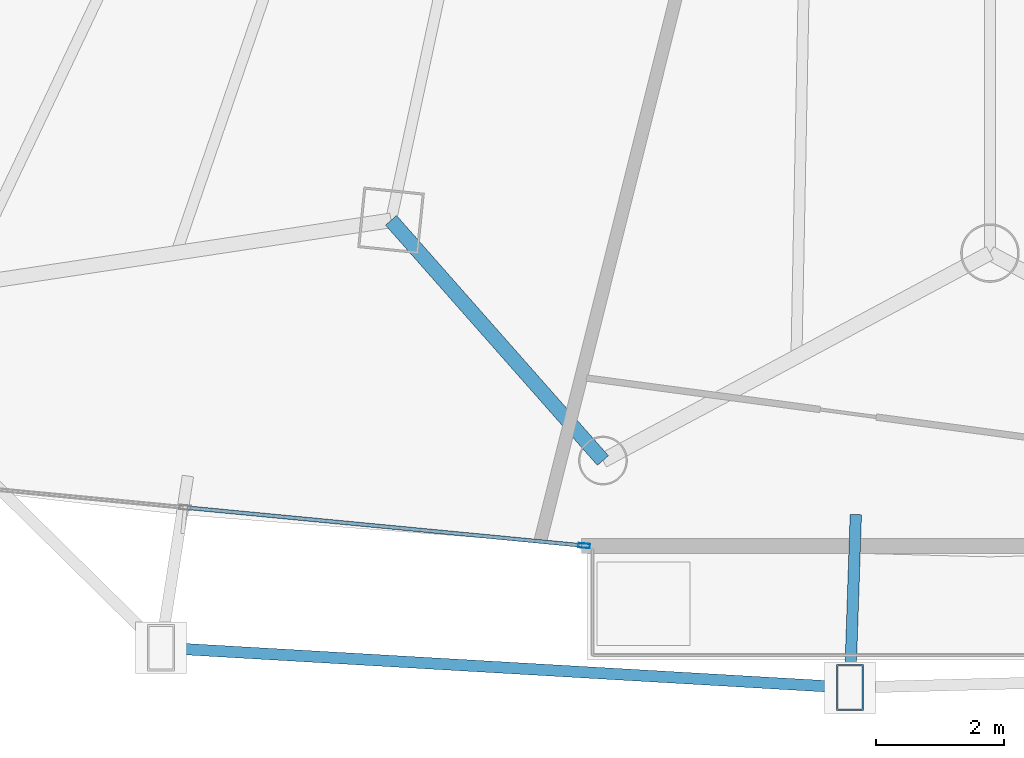
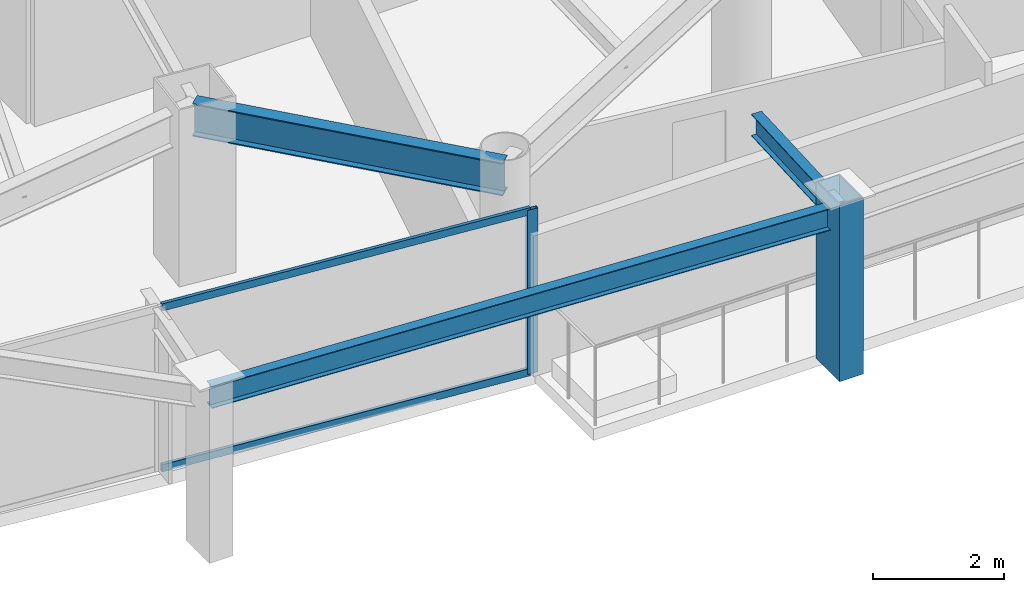
# One storey, part 6 of 33: 4 members, 3 beams, 1 element without a shape of its own.
"""IFC4 building model written with IfcOpenShell, lengths in metres."""

import ifcopenshell
import ifcopenshell.guid

model = None  # the IFC model being written
_history = None  # IfcOwnerHistory: only IFC2X3 demands one
_inside = {}  # id of a spatial element -> (the spatial element, [elements in it])
_under = {}  # id of a project, library or spatial element -> (it, [spatial elements below it])
_declared = {}  # id of a project -> (the project, [libraries it declares])
_typed = {}  # id of a type object -> (the type object, [elements of that type])
_made_of = {}  # id of a material, layer set ... -> (it, [elements and type objects made of it])


def new_model(schema):
    """Start an empty IFC model of exactly this schema.

    Asked for "IFC4X3", IfcOpenShell would pick the latest addendum, in which some entities
    have other attributes; the version numbers below select the first issue.
    IFC2X3 requires an IfcOwnerHistory on every rooted entity: one is made here for all.
    """
    global model, _history
    if schema == "IFC4X3":
        model = ifcopenshell.file(schema_version=(4, 3, 0, 0))
    else:
        model = ifcopenshell.file(schema=schema)
    _inside.clear()
    _under.clear()
    _declared.clear()
    _typed.clear()
    _made_of.clear()
    _history = None
    if model.schema == "IFC2X3":
        org = make("IfcOrganization", Name="unknown")
        user = make(
            "IfcPersonAndOrganization",
            ThePerson=make("IfcPerson", FamilyName="unknown"),
            TheOrganization=org,
        )
        app = make(
            "IfcApplication",
            ApplicationDeveloper=org,
            Version="unknown",
            ApplicationFullName="unknown",
            ApplicationIdentifier="unknown",
        )
        _history = make(
            "IfcOwnerHistory",
            OwningUser=user,
            OwningApplication=app,
            ChangeAction="ADDED",
            CreationDate=0,
        )
    return model


def make(cls, **values):
    """One entity of the class cls with the attributes given. An attribute that is None is left unset."""
    return model.create_entity(
        cls, **{name: value for name, value in values.items() if value is not None}
    )


def rooted(cls, **values):
    """An entity with a GlobalId (a new one), such as an element, a storey or a relation."""
    return make(cls, GlobalId=ifcopenshell.guid.new(), OwnerHistory=_history, **values)


def si_unit(unit_type, name, prefix=None):
    """IfcSIUnit, for example si_unit("LENGTHUNIT", "METRE", prefix="MILLI")."""
    return make("IfcSIUnit", UnitType=unit_type, Prefix=prefix, Name=name)


def assignment(units):
    """IfcUnitAssignment: the units of a project."""
    return None if units is None else make("IfcUnitAssignment", Units=units)


def point(xyz):
    """IfcCartesianPoint."""
    return None if xyz is None else make("IfcCartesianPoint", Coordinates=xyz)


def direction(xyz):
    """IfcDirection."""
    return None if xyz is None else make("IfcDirection", DirectionRatios=xyz)


def frame(location, z_axis=None, x_axis=None):
    """IfcAxis2Placement3D, a coordinate frame: its origin and axes. An axis left out is left unset."""
    return make(
        "IfcAxis2Placement3D",
        Location=point(location),
        Axis=direction(z_axis),
        RefDirection=direction(x_axis),
    )


def frame_2d(location, x_axis=None):
    """IfcAxis2Placement2D, a coordinate frame in the plane: its origin and x axis."""
    return make(
        "IfcAxis2Placement2D", Location=point(location), RefDirection=direction(x_axis)
    )


def origin():
    """The frame at (0, 0, 0) with its axes left unset."""
    return frame((0.0, 0.0, 0.0))


def origin_2d():
    """The frame at (0, 0) in the plane with its x axis left unset."""
    return frame_2d((0.0, 0.0))


def place(relative_to, where):
    """IfcLocalPlacement: puts the frame where relative to a parent placement (None: the world)."""
    return make(
        "IfcLocalPlacement", PlacementRelTo=relative_to, RelativePlacement=where
    )


def context(
    kind, dimensions, precision=None, world=None, true_north=None, identifier=None
):
    """IfcGeometricRepresentationContext, for example the 3D "Model" context."""
    return make(
        "IfcGeometricRepresentationContext",
        ContextIdentifier=identifier,
        ContextType=kind,
        CoordinateSpaceDimension=dimensions,
        Precision=precision,
        WorldCoordinateSystem=world,
        TrueNorth=true_north,
    )


def subcontext(parent, identifier, kind, view, scale=None):
    """IfcGeometricRepresentationSubContext, for example "Body" below "Model"."""
    return make(
        "IfcGeometricRepresentationSubContext",
        ContextIdentifier=identifier,
        ContextType=kind,
        ParentContext=parent,
        TargetScale=scale,
        TargetView=view,
    )


def project(units=None, contexts=None):
    """IfcProject with its units and contexts."""
    return rooted(
        "IfcProject",
        Name="project",
        RepresentationContexts=contexts,
        UnitsInContext=assignment(units),
    )


def spatial(cls, under=None, at=None, **own):
    """A site, building, storey or space (cls), placed at a placement, below another one or the project."""
    s = rooted(cls, ObjectPlacement=at, **own)
    if under is not None:
        _under.setdefault(under.id(), (under, []))[1].append(s)
    return s


def profile(cls, at=None, kind="AREA", **sizes):
    """A parametric profile (cls). Its sizes go by their IFC names, for example OverallWidth=200.0."""
    return make(cls, ProfileType=kind, Position=at, **sizes)


def hollow_rectangle(**sizes):
    """IfcRectangleHollowProfileDef."""
    return profile("IfcRectangleHollowProfileDef", **sizes)


def i_section(**sizes):
    """IfcIShapeProfileDef."""
    return profile("IfcIShapeProfileDef", **sizes)


def extrude(swept, where, along, depth):
    """IfcExtrudedAreaSolid: the profile swept, set in the frame where, extruded along a direction by depth."""
    return make(
        "IfcExtrudedAreaSolid",
        SweptArea=swept,
        Position=where,
        ExtrudedDirection=direction(along),
        Depth=depth,
    )


def shape(context_of_items, identifier, shape_type, items):
    """IfcShapeRepresentation: the items that make up one representation, for example the "Body"."""
    return make(
        "IfcShapeRepresentation",
        ContextOfItems=context_of_items,
        RepresentationIdentifier=identifier,
        RepresentationType=shape_type,
        Items=items,
    )


def material(Name=None, Category=None):
    """IfcMaterial."""
    return make("IfcMaterial", Name=Name, Category=Category)


def layer(
    of_material, thickness, ventilated=None, Name=None, Category=None, Priority=None
):
    """IfcMaterialLayer: one layer of a wall or slab, of a material (None: an air gap)."""
    return make(
        "IfcMaterialLayer",
        Material=of_material,
        LayerThickness=thickness,
        IsVentilated=ventilated,
        Name=Name,
        Category=Category,
        Priority=Priority,
    )


def layer_set(layers, Name=None):
    """IfcMaterialLayerSet."""
    return make("IfcMaterialLayerSet", MaterialLayers=layers, LayerSetName=Name)


def material_profile(
    of_material, cross_section, Name=None, Category=None, Priority=None
):
    """IfcMaterialProfile: a cross section and its material."""
    return make(
        "IfcMaterialProfile",
        Name=Name,
        Material=of_material,
        Profile=cross_section,
        Priority=Priority,
        Category=Category,
    )


def profile_set(profiles, Name=None, composite=None):
    """IfcMaterialProfileSet."""
    return make(
        "IfcMaterialProfileSet",
        Name=Name,
        MaterialProfiles=profiles,
        CompositeProfile=composite,
    )


def made_of(thing, what):
    """Note that an element or type object is made of a material, layer set ...; save() writes the relation."""
    if what is not None:
        _made_of.setdefault(what.id(), (what, []))[1].append(thing)
    return thing


def type_object(cls, material=None, **own):
    """A type object (cls), such as IfcWallType, which elements share."""
    return made_of(rooted(cls, **own), material)


def element(
    cls,
    number,
    at=None,
    inside=None,
    cuts=None,
    type_object=None,
    material=None,
    context=None,
    identifier="Body",
    shape_type=None,
    held_by="IfcProductDefinitionShape",
    body=None,
    shapes=None,
    **own,
):
    """One element of the class cls, such as IfcWall. Its Tag is "e" and its number.

    at: its placement. inside: the storey or other place that contains it. cuts: it is an
    opening in that element (IfcRelVoidsElement). A single representation is given by context,
    identifier, shape_type and body (its items); several are given by shapes. held_by: the class
    of the entity that holds the representations. save() writes the other relations.
    """
    e = rooted(cls, Tag="e%d" % number, ObjectPlacement=at, **own)
    if body is not None:
        shapes = [shape(context, identifier, shape_type, body)]
    if shapes is not None:
        e.Representation = make(held_by, Representations=shapes)
    if inside is not None:
        _inside.setdefault(inside.id(), (inside, []))[1].append(e)
    if cuts is not None:
        rooted(
            "IfcRelVoidsElement", RelatingBuildingElement=cuts, RelatedOpeningElement=e
        )
    if type_object is not None:
        _typed.setdefault(type_object.id(), (type_object, []))[1].append(e)
    return made_of(e, material)


def aggregate(whole, parts):
    """IfcRelAggregates: a whole, such as a stair, and the parts it consists of."""
    return rooted("IfcRelAggregates", RelatingObject=whole, RelatedObjects=parts)


def save(model, path):
    """Write the relations noted so far, then the file.

    IfcRelAggregates (storeys below a building ...), IfcRelContainedInSpatialStructure (elements
    in a storey), IfcRelDefinesByType, IfcRelAssociatesMaterial and IfcRelDeclares: one each for
    every whole, place, type object, material and project.
    """
    for whole, parts in _under.values():
        aggregate(whole, parts)
    for where, things in _inside.values():
        rooted(
            "IfcRelContainedInSpatialStructure",
            RelatedElements=things,
            RelatingStructure=where,
        )
    for kind, things in _typed.values():
        rooted("IfcRelDefinesByType", RelatedObjects=things, RelatingType=kind)
    for what, things in _made_of.values():
        rooted("IfcRelAssociatesMaterial", RelatedObjects=things, RelatingMaterial=what)
    for by, libraries in _declared.values():
        rooted("IfcRelDeclares", RelatingContext=by, RelatedDefinitions=libraries)
    model.write(path)


model = new_model("IFC4")

# Units and contexts
model_context = context("Model", 3, precision=1e-05, world=origin(), true_north=direction((0.0, 1.0)))
body_context = subcontext(model_context, "Body", "Model", "MODEL_VIEW")
ifc_project = project(units=[si_unit("LENGTHUNIT", "METRE"), si_unit("AREAUNIT", "SQUARE_METRE"), si_unit("VOLUMEUNIT", "CUBIC_METRE"), si_unit("PLANEANGLEUNIT", "RADIAN"), si_unit("MASSUNIT", "GRAM", prefix="KILO")], contexts=[model_context])

# Site, building, storey
site_placement = place(None, origin())
site = spatial("IfcSite", under=ifc_project, at=site_placement, CompositionType="ELEMENT")
building_placement = place(site_placement, origin())
building = spatial("IfcBuilding", under=site, at=building_placement, Name="Orvanel Arch Residences", CompositionType="ELEMENT")
storey_placement = place(building_placement, frame((0.0, 0.0, 87.35009765625)))
storey = spatial("IfcBuildingStorey", under=building, at=storey_placement, Name="L24", CompositionType="ELEMENT", Elevation=87.35009765625)

# Member
ifc_material_1 = material(Name="Structural steel AS/NZS 3678 Grade 350", Category="steel")
ifc_material_profile_1 = material_profile(ifc_material_1, hollow_rectangle(XDim=0.419921875, YDim=0.719970703125, WallThickness=0.02490234375, at=origin_2d()), Name="RHS720x420x25")
ifc_profile_set_1 = profile_set([ifc_material_profile_1], Name="Structural steel AS/NZS 3678 Grade 350")
member_type_1 = type_object("IfcMemberType", Name="CH-720RHS-EXT", PredefinedType="CHORD", material=ifc_profile_set_1)
member_1_placement = place(storey_placement, frame((30.81494140625, 0.05908203125, 0.0), z_axis=(0.0, 0.0, 1.0), x_axis=(1.0, 0.0, 0.0)))
element("IfcMember", 1, at=member_1_placement, inside=storey, type_object=member_type_1, Name="L24 Outer Perimeter Frame Post 06", PredefinedType="CHORD", context=body_context, shape_type="SweptSolid", body=[
    extrude(hollow_rectangle(XDim=0.419921875, YDim=0.719970703125, WallThickness=0.02490234375, at=origin_2d()), origin(), (0.0, 0.0, 1.0), 3.2998046875),
])

# Curtain wall, member
ifc_material_2 = material(Name="Bronze-anodised aluminium AA6063-T6", Category="aluminium")
ifc_layer = layer(ifc_material_2, 0.179931640625)
ifc_layer_set = layer_set([ifc_layer], Name="Bronze-anodised aluminium AA6063-T6")
curtain_wall_type = type_object("IfcCurtainWallType", Name="CW2-LOW-SYS", PredefinedType="NOTDEFINED", material=ifc_layer_set)
curtain_wall_placement = place(storey_placement, origin())
curtain_wall = element("IfcCurtainWall", 2, at=curtain_wall_placement, inside=storey, type_object=curtain_wall_type, Name="L24 CW2-LOW-SYS Unitised Curtain Wall", PredefinedType="NOTDEFINED")
ifc_material_profile_2 = material_profile(ifc_material_2, hollow_rectangle(XDim=0.070068359375, YDim=0.179931640625, WallThickness=0.00439453125, at=origin_2d()), Name="ALU180x70x4.5")
ifc_profile_set_2 = profile_set([ifc_material_profile_2], Name="Bronze-anodised aluminium AA6063-T6")
member_type_2 = type_object("IfcMemberType", Name="MUL-180x70", PredefinedType="MULLION", material=ifc_profile_set_2)
member_2_placement = place(storey_placement, frame((26.6630859375, 2.275390625, 0.0), z_axis=(0.0, 0.0, 1.0), x_axis=(0.095292908754, 0.995449276227, 0.0)))
member_2 = element("IfcMember", 3, at=member_2_placement, type_object=member_type_2, Name="CW-S2 mullion 3", PredefinedType="MULLION", context=body_context, shape_type="SweptSolid", body=[
    extrude(hollow_rectangle(XDim=0.070068359375, YDim=0.179931640625, WallThickness=0.00439453125, at=origin_2d()), origin(), (0.0, 0.0, 1.0), 3.059814453125),
])

# Beams
ifc_material_3 = material(Name="Structural steel AS/NZS 3679.1 Grade 300 (300 MPa)", Category="steel")
ifc_material_profile_3 = material_profile(ifc_material_3, i_section(OverallWidth=0.177978515625, OverallDepth=0.406005859375, WebThickness=0.0078125, FlangeThickness=0.0126953125, at=origin_2d()), Name="410UB59.7")
ifc_profile_set_3 = profile_set([ifc_material_profile_3], Name="Structural steel AS/NZS 3679.1 Grade 300 (300 MPa)")
beam_type_1 = type_object("IfcBeamType", Name="OB-410UB-EXT", PredefinedType="SPANDREL", material=ifc_profile_set_3)
beam_1_placement = place(storey_placement, frame((20.055908203125, 0.681884765625, 2.85693359375), z_axis=(0.998328775622, -0.057789754853, 0.0), x_axis=(0.057789754853, 0.998328775622, 0.0)))
element("IfcBeam", 4, at=beam_1_placement, inside=storey, type_object=beam_type_1, Name="L24 Outer Perimeter Floor Ring Beam 05", PredefinedType="SPANDREL", context=body_context, shape_type="SweptSolid", body=[
    extrude(i_section(OverallWidth=0.177978515625, OverallDepth=0.406005859375, WebThickness=0.0078125, FlangeThickness=0.0126953125, at=origin_2d()), origin(), (0.0, 0.0, 1.0), 10.777099609375),
])
beam_2_placement = place(storey_placement, frame((30.906005859375, 2.760986328125, 2.85693359375), z_axis=(-0.033684677538, -0.999432510227, 0.0), x_axis=(0.999432510227, -0.033684677538, 0.0)))
element("IfcBeam", 5, at=beam_2_placement, inside=storey, type_object=beam_type_1, Name="L24 Outer Frame Radial Tie Beam 06", PredefinedType="SPANDREL", context=body_context, shape_type="SweptSolid", body=[
    extrude(i_section(OverallWidth=0.177978515625, OverallDepth=0.406005859375, WebThickness=0.0078125, FlangeThickness=0.0126953125, at=origin_2d()), origin(), (0.0, 0.0, 1.0), 2.703369140625),
])
ifc_material_profile_4 = material_profile(ifc_material_3, i_section(OverallWidth=0.22900390625, OverallDepth=0.612060546875, WebThickness=0.011962890625, FlangeThickness=0.01953125, at=origin_2d()), Name="610UB125")
ifc_profile_set_4 = profile_set([ifc_material_profile_4], Name="Structural steel AS/NZS 3679.1 Grade 300 (300 MPa)")
beam_type_2 = type_object("IfcBeamType", Name="SP-610UB", PredefinedType="SPANDREL", material=ifc_profile_set_4)
beam_3_placement = place(storey_placement, frame((23.64892578125, 7.35498046875, 2.75390625), z_axis=(0.661650698195, -0.749812212209, 0.0), x_axis=(0.749812212209, 0.661650698195, 0.0)))
element("IfcBeam", 6, at=beam_3_placement, inside=storey, type_object=beam_type_2, Name="L24 Perimeter Spandrel Beam 05", PredefinedType="SPANDREL", context=body_context, shape_type="SweptSolid", body=[
    extrude(i_section(OverallWidth=0.22900390625, OverallDepth=0.612060546875, WebThickness=0.011962890625, FlangeThickness=0.01953125, at=origin_2d()), origin(), (0.0, 0.0, 1.0), 5.001220703125),
])

# Member
ifc_material_profile_5 = material_profile(ifc_material_2, hollow_rectangle(XDim=0.06005859375, YDim=0.135009765625, WallThickness=0.00390625, at=origin_2d()), Name="ALU135x60x4")
ifc_profile_set_5 = profile_set([ifc_material_profile_5], Name="Bronze-anodised aluminium AA6063-T6")
member_type_3 = type_object("IfcMemberType", Name="TRN-135x60", PredefinedType="USERDEFINED", material=ifc_profile_set_5)
member_3_placement = place(storey_placement, frame((20.470458984375, 2.8681640625, 0.02978515625), z_axis=(0.995447632735, -0.095310075449, 0.0), x_axis=(0.095310075449, 0.995447632735, 0.0)))
member_3 = element("IfcMember", 7, at=member_3_placement, type_object=member_type_3, Name="CW-S2 transom 2.1", ObjectType="TRANSOM", PredefinedType="USERDEFINED", context=body_context, shape_type="SweptSolid", body=[
    extrude(hollow_rectangle(XDim=0.06005859375, YDim=0.135009765625, WallThickness=0.00390625, at=origin_2d()), origin(), (0.0, 0.0, 1.0), 6.18603515625),
])

member_4_placement = place(storey_placement, frame((20.470458984375, 2.8681640625, 3.02978515625), z_axis=(0.995447632735, -0.095310075449, 0.0), x_axis=(0.095310075449, 0.995447632735, 0.0)))
member_4 = element("IfcMember", 8, at=member_4_placement, type_object=member_type_3, Name="CW-S2 transom 2.2", ObjectType="TRANSOM", PredefinedType="USERDEFINED", context=body_context, shape_type="SweptSolid", body=[
    extrude(hollow_rectangle(XDim=0.06005859375, YDim=0.135009765625, WallThickness=0.00390625, at=origin_2d()), origin(), (0.0, 0.0, 1.0), 6.18603515625),
])

aggregate(curtain_wall, [member_2, member_3, member_4])

save(model, "model.ifc")
